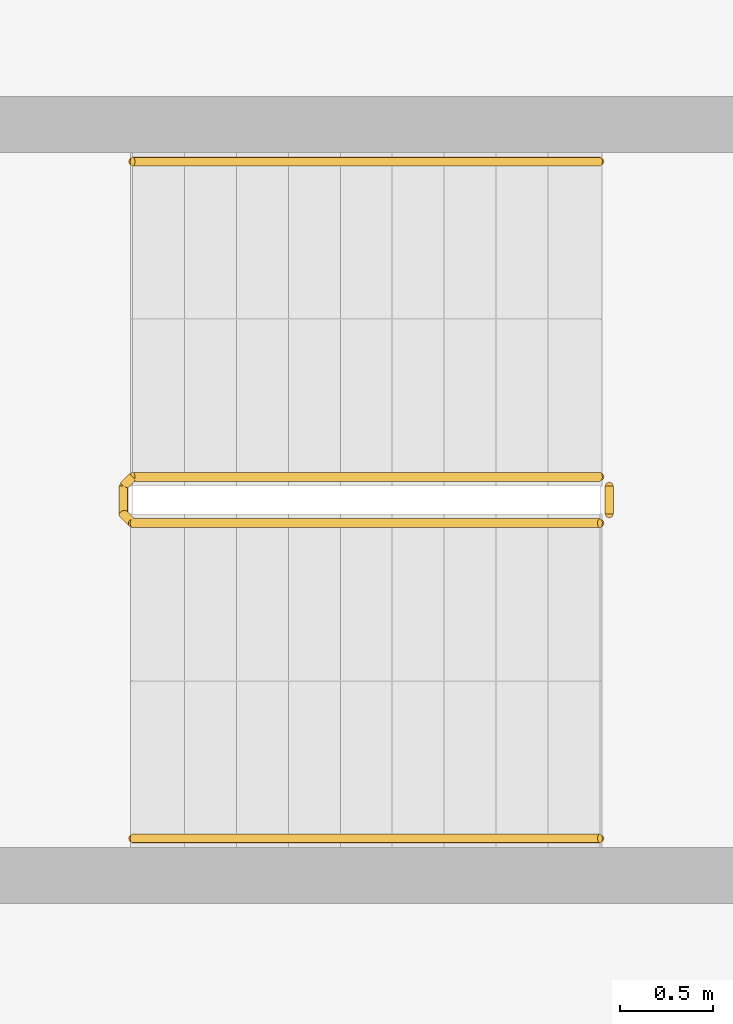
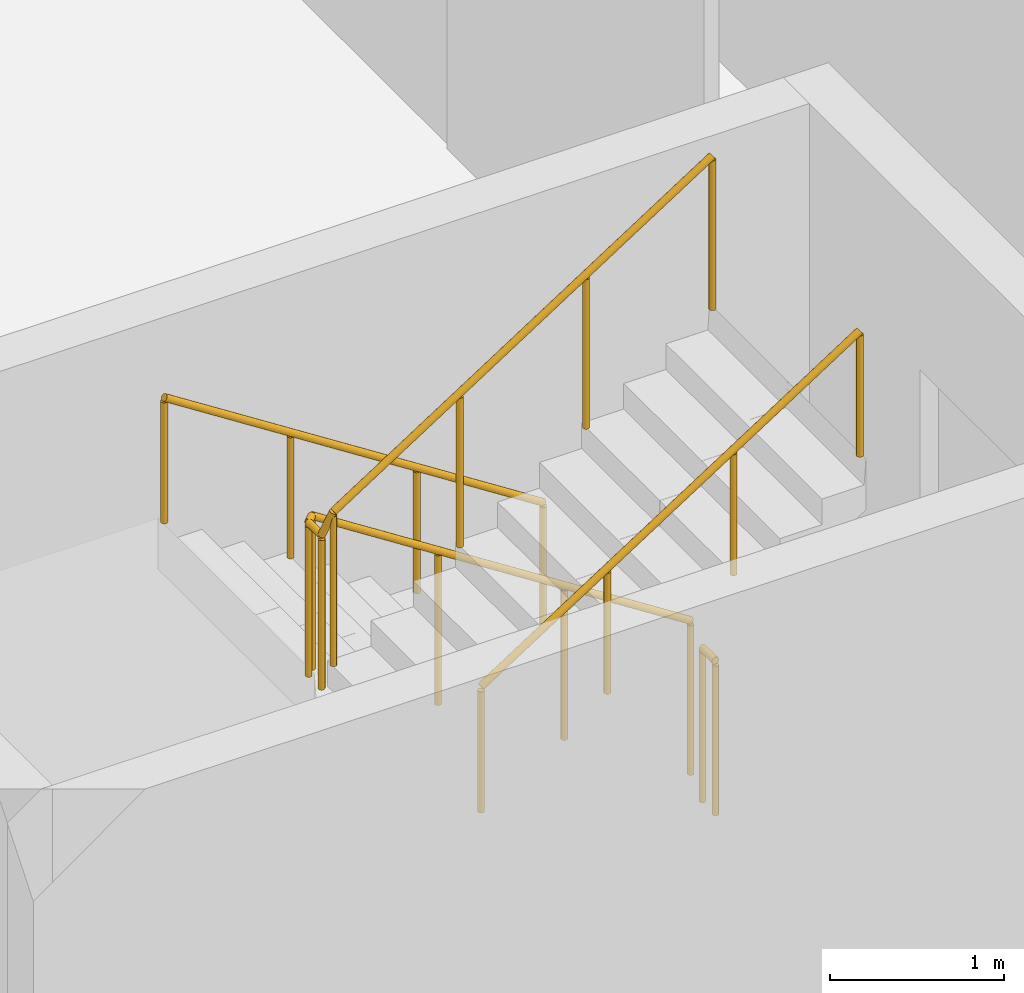
# One storey, part 22 of 25: 4 railings.
"""IFC4 building model written with IfcOpenShell, lengths in metres."""

from ifc_helpers import new_model, si_unit, direction, frame, origin, origin_2d, place, context, subcontext, project, spatial, circle, extrude, material, type_object, element, save


model = new_model("IFC4")

# Units and contexts
model_context = context("Model", 3, precision=1e-05, world=origin(), true_north=direction((0.0, 1.0)))
body_context = subcontext(model_context, "Body", "Model", "MODEL_VIEW")
ifc_project = project(units=[si_unit("LENGTHUNIT", "METRE"), si_unit("AREAUNIT", "SQUARE_METRE"), si_unit("VOLUMEUNIT", "CUBIC_METRE"), si_unit("PLANEANGLEUNIT", "RADIAN"), si_unit("MASSUNIT", "GRAM", prefix="KILO")], contexts=[model_context])

# Site, building, storey
site_placement = place(None, origin())
site = spatial("IfcSite", under=ifc_project, at=site_placement, CompositionType="ELEMENT")
building_placement = place(site_placement, origin())
building = spatial("IfcBuilding", under=site, at=building_placement, Name="Wharfspan Tower", CompositionType="ELEMENT")
storey_placement = place(building_placement, frame((0.0, 0.0, 121.899902)))
storey = spatial("IfcBuildingStorey", under=building, at=storey_placement, Name="L28", CompositionType="ELEMENT", Elevation=121.899902)

# Railings
ifc_material = material(Name="Steel S355J2", Category="steel")
railing_type_1 = type_object("IfcRailingType", Name="Stair guard 1100", PredefinedType="GUARDRAIL", material=ifc_material)
railing_1_placement = place(storey_placement, frame((13.899902, 22.824951, 0.180176)))
element("IfcRailing", 1, at=railing_1_placement, inside=storey, type_object=railing_type_1, Name="L28 ST3 stair guard 1", PredefinedType="GUARDRAIL", context=body_context, shape_type="SweptSolid", body=[
    extrude(circle(Radius=0.023926, at=origin_2d()), frame((0.0, 0.0, 1.076172), z_axis=(-0.8412, 0.0, 0.540725), x_axis=(0.0, -1.0, 0.0)), (0.0, 0.0, 1.0), 2.99585),
    extrude(circle(Radius=0.023926, at=origin_2d()), frame((-2.52002, 0.0, 2.695801), z_axis=(-0.705376, -0.708834, 0.0), x_axis=(0.708834, -0.705376, 0.0)), (0.0, 0.0, 1.0), 0.070557),
    extrude(circle(Radius=0.023926, at=origin_2d()), frame((-2.569824, -0.050049, 2.695801), z_axis=(0.0, -1.0, 0.0), x_axis=(1.0, 0.0, 0.0)), (0.0, 0.0, 1.0), 0.149902),
    extrude(circle(Radius=0.023926, at=origin_2d()), frame((-2.569824, -0.199951, 2.695801), z_axis=(0.257669, -0.258932, 0.930892), x_axis=(0.708833, 0.705372, -1e-06)), (0.0, 0.0, 1.0), 0.193359),
    extrude(circle(Radius=0.023926, at=origin_2d()), frame((-2.52002, -0.25, 2.875977), z_axis=(0.841163, 0.0, 0.540782), x_axis=(0.0, 1.0, 0.0)), (0.0, 0.0, 1.0), 2.99585),
    extrude(circle(Radius=0.020996, at=origin_2d()), origin(), (0.0, 0.0, 1.0), 1.052002),
    extrude(circle(Radius=0.020996, at=origin_2d()), frame((-0.840088, 0.0, 0.540039)), (0.0, 0.0, 1.0), 1.052002),
    extrude(circle(Radius=0.020996, at=origin_2d()), frame((-1.679932, 0.0, 1.079834)), (0.0, 0.0, 1.0), 1.052002),
    extrude(circle(Radius=0.020996, at=origin_2d()), frame((-2.52002, 0.0, 1.619873)), (0.0, 0.0, 1.0), 1.052002),
    extrude(circle(Radius=0.020996, at=origin_2d()), frame((-2.569824, -0.050049, 1.619873)), (0.0, 0.0, 1.0), 1.052002),
    extrude(circle(Radius=0.020996, at=origin_2d()), frame((-2.569824, -0.199951, 1.619873)), (0.0, 0.0, 1.0), 1.052002),
    extrude(circle(Radius=0.020996, at=origin_2d()), frame((-2.52002, -0.25, 1.799805)), (0.0, 0.0, 1.0), 1.052002),
    extrude(circle(Radius=0.020996, at=origin_2d()), frame((-1.679932, -0.25, 2.339844)), (0.0, 0.0, 1.0), 1.052002),
    extrude(circle(Radius=0.020996, at=origin_2d()), frame((-0.840088, -0.25, 2.879883)), (0.0, 0.0, 1.0), 1.052002),
    extrude(circle(Radius=0.020996, at=origin_2d()), frame((0.0, -0.25, 3.419922)), (0.0, 0.0, 1.0), 1.052002),
])
railing_2_placement = place(storey_placement, frame((13.949951, 22.774902, 0.0)))
element("IfcRailing", 2, at=railing_2_placement, inside=storey, type_object=railing_type_1, Name="L28 ST3 stair guard 2", PredefinedType="GUARDRAIL", context=body_context, shape_type="SweptSolid", body=[
    extrude(circle(Radius=0.023926, at=origin_2d()), frame((0.0, 0.0, 1.076172), z_axis=(0.0, -1.0, 0.0), x_axis=(1.0, 0.0, 0.0)), (0.0, 0.0, 1.0), 0.149902),
    extrude(circle(Radius=0.020996, at=origin_2d()), origin(), (0.0, 0.0, 1.0), 1.052002),
    extrude(circle(Radius=0.020996, at=origin_2d()), frame((0.0, -0.149902, 0.0)), (0.0, 0.0, 1.0), 1.052002),
])
railing_type_2 = type_object("IfcRailingType", Name="Stair handrail 900", PredefinedType="HANDRAIL", material=ifc_material)
railing_3_placement = place(storey_placement, frame((13.899902, 24.524902, 0.180176)))
element("IfcRailing", 3, at=railing_3_placement, inside=storey, type_object=railing_type_2, Name="L28 ST3 stair handrail 1", PredefinedType="HANDRAIL", context=body_context, shape_type="SweptSolid", body=[
    extrude(circle(Radius=0.023926, at=origin_2d()), frame((0.0, 0.0, 0.875977), z_axis=(-0.8412, 0.0, 0.540725), x_axis=(0.0, -1.0, 0.0)), (0.0, 0.0, 1.0), 2.99585),
    extrude(circle(Radius=0.020996, at=origin_2d()), origin(), (0.0, 0.0, 1.0), 0.851807),
    extrude(circle(Radius=0.020996, at=origin_2d()), frame((-0.840088, 0.0, 0.540039)), (0.0, 0.0, 1.0), 0.851807),
    extrude(circle(Radius=0.020996, at=origin_2d()), frame((-1.679932, 0.0, 1.079834)), (0.0, 0.0, 1.0), 0.851807),
    extrude(circle(Radius=0.020996, at=origin_2d()), frame((-2.52002, 0.0, 1.619873)), (0.0, 0.0, 1.0), 0.851807),
])
railing_4_placement = place(storey_placement, frame((11.379883, 20.875, 1.97998)))
element("IfcRailing", 4, at=railing_4_placement, inside=storey, type_object=railing_type_2, Name="L28 ST3 stair handrail 2", PredefinedType="HANDRAIL", context=body_context, shape_type="SweptSolid", body=[
    extrude(circle(Radius=0.023926, at=origin_2d()), frame((0.0, 0.0, 0.875977), z_axis=(0.841163, 0.0, 0.540782), x_axis=(0.0, 1.0, 0.0)), (0.0, 0.0, 1.0), 2.99585),
    extrude(circle(Radius=0.020996, at=origin_2d()), origin(), (0.0, 0.0, 1.0), 0.851807),
    extrude(circle(Radius=0.020996, at=origin_2d()), frame((0.840088, 0.0, 0.540039)), (0.0, 0.0, 1.0), 0.851807),
    extrude(circle(Radius=0.020996, at=origin_2d()), frame((1.679932, 0.0, 1.080078)), (0.0, 0.0, 1.0), 0.851807),
    extrude(circle(Radius=0.020996, at=origin_2d()), frame((2.52002, 0.0, 1.620117)), (0.0, 0.0, 1.0), 0.851807),
])

save(model, "model.ifc")
